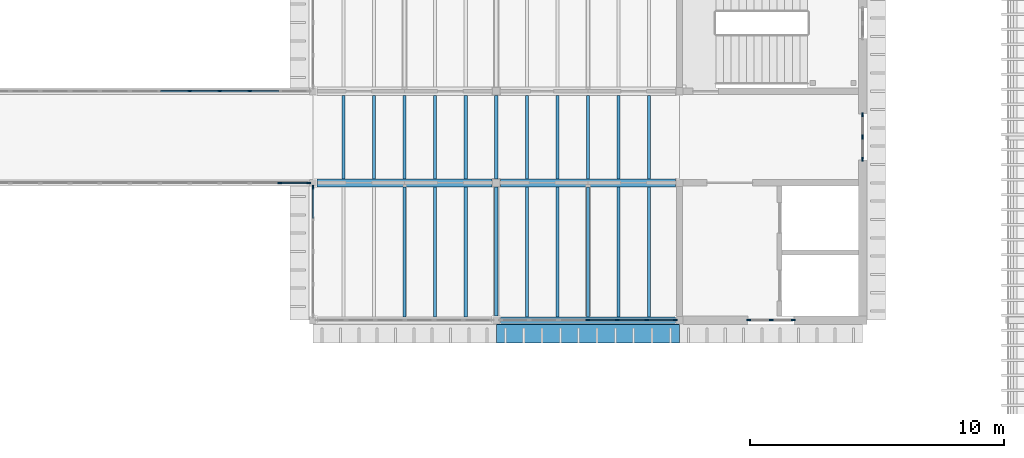
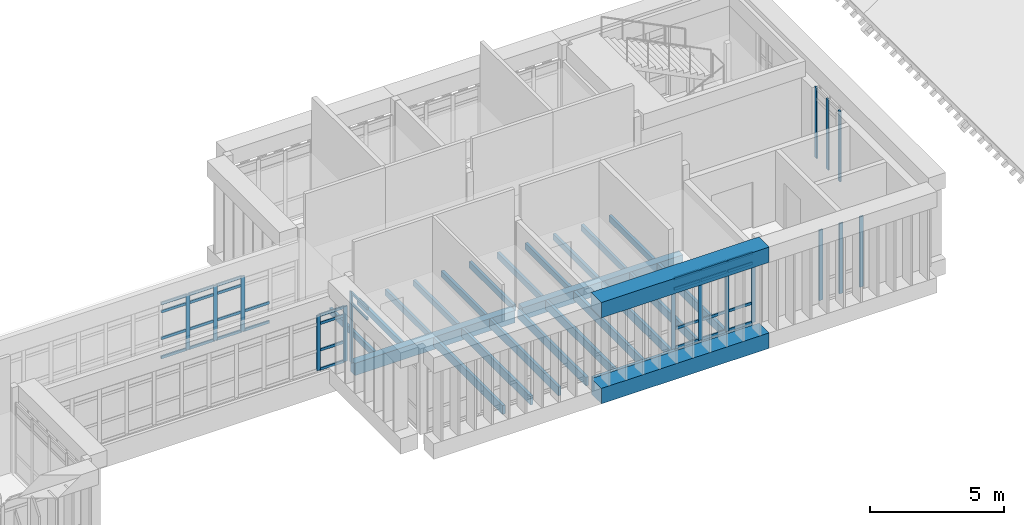
# One storey, part 12 of 51: 50 members, 23 beams, 6 elements without a shape of their own.
"""IFC4 building model written with IfcOpenShell, lengths in metres."""

from ifc_helpers import new_model, si_unit, direction, frame, origin, origin_2d, place, context, subcontext, project, spatial, rectangle, extrude, material, layer, layer_set, material_profile, profile_set, type_object, element, aggregate, save


model = new_model("IFC4")

# Units and contexts
model_context = context("Model", 3, precision=1e-05, world=origin(), true_north=direction((0.0, 1.0)))
body_context = subcontext(model_context, "Body", "Model", "MODEL_VIEW")
ifc_project = project(units=[si_unit("LENGTHUNIT", "METRE"), si_unit("AREAUNIT", "SQUARE_METRE"), si_unit("VOLUMEUNIT", "CUBIC_METRE"), si_unit("PLANEANGLEUNIT", "RADIAN"), si_unit("MASSUNIT", "GRAM", prefix="KILO")], contexts=[model_context])

# Site, building, storey
site_placement = place(None, origin())
site = spatial("IfcSite", under=ifc_project, at=site_placement, CompositionType="ELEMENT")
building_placement = place(site_placement, origin())
building = spatial("IfcBuilding", under=site, at=building_placement, Name="Mazhai Court Health Centre", CompositionType="ELEMENT")
storey_placement = place(building_placement, frame((0.0, 0.0, 14.10009765625)))
storey = spatial("IfcBuildingStorey", under=building, at=storey_placement, Name="L03", CompositionType="ELEMENT", Elevation=14.10009765625)

# Curtain wall, members
ifc_material_1 = material(Name="Teak timber frame, glazed", Category="wood")
ifc_layer_1 = layer(ifc_material_1, 0.10009765625)
ifc_layer_set_1 = layer_set([ifc_layer_1], Name="CURTAIN WALL TIMBER 900")
curtain_wall_type_1 = type_object("IfcCurtainWallType", Name="CURTAIN WALL TIMBER 900", PredefinedType="NOTDEFINED", material=ifc_layer_set_1)
curtain_wall_1_placement = place(storey_placement, origin())
curtain_wall_1 = element("IfcCurtainWall", 1, at=curtain_wall_1_placement, inside=storey, type_object=curtain_wall_type_1, Name="CW-V4-L03-A7", PredefinedType="NOTDEFINED")
ifc_material_2 = material(Name="Teak timber", Category="wood")
ifc_material_profile_1 = material_profile(ifc_material_2, rectangle(XDim=0.06005859375, YDim=0.159912109375, at=origin_2d()), Name="CW MULLION 60x160")
ifc_profile_set_1 = profile_set([ifc_material_profile_1], Name="Teak timber")
member_type_1 = type_object("IfcMemberType", Name="CW MULLION 60x160", PredefinedType="MULLION", material=ifc_profile_set_1)
member_1_placement = place(storey_placement, frame((125.8701171875, 13.39990234375, 0.0), z_axis=(0.0, 0.0, 1.0), x_axis=(0.0, -1.0, 0.0)))
member_1 = element("IfcMember", 2, at=member_1_placement, type_object=member_type_1, Name="CW mullion 1", PredefinedType="MULLION", context=body_context, shape_type="SweptSolid", body=[
    extrude(rectangle(XDim=0.06005859375, YDim=0.159912109375, at=origin_2d()), origin(), (0.0, 0.0, 1.0), 3.199951171875),
])
member_2_placement = place(storey_placement, frame((125.0, 13.39990234375, 0.0), z_axis=(0.0, 0.0, 1.0), x_axis=(0.0, -1.0, 0.0)))
member_2 = element("IfcMember", 3, at=member_2_placement, type_object=member_type_1, Name="CW mullion 2", PredefinedType="MULLION", context=body_context, shape_type="SweptSolid", body=[
    extrude(rectangle(XDim=0.06005859375, YDim=0.159912109375, at=origin_2d()), origin(), (0.0, 0.0, 1.0), 3.199951171875),
])
member_3_placement = place(storey_placement, frame((124.1298828125, 13.39990234375, 0.0), z_axis=(0.0, 0.0, 1.0), x_axis=(0.0, -1.0, 0.0)))
member_3 = element("IfcMember", 4, at=member_3_placement, type_object=member_type_1, Name="CW mullion 3", PredefinedType="MULLION", context=body_context, shape_type="SweptSolid", body=[
    extrude(rectangle(XDim=0.06005859375, YDim=0.159912109375, at=origin_2d()), origin(), (0.0, 0.0, 1.0), 3.199951171875),
])
aggregate(curtain_wall_1, [member_1, member_2, member_3])

curtain_wall_2_placement = place(storey_placement, origin())
curtain_wall_2 = element("IfcCurtainWall", 5, at=curtain_wall_2_placement, inside=storey, type_object=curtain_wall_type_1, Name="CW-V4-L03-ELIFT0", PredefinedType="NOTDEFINED")
member_4_placement = place(storey_placement, frame((128.60009765625, 21.469970703125, 0.0), z_axis=(0.0, 0.0, 1.0), x_axis=(1.0, 0.0, 0.0)))
member_4 = element("IfcMember", 6, at=member_4_placement, type_object=member_type_1, Name="CW mullion 1", PredefinedType="MULLION", context=body_context, shape_type="SweptSolid", body=[
    extrude(rectangle(XDim=0.06005859375, YDim=0.159912109375, at=origin_2d()), origin(), (0.0, 0.0, 1.0), 3.199951171875),
])
member_5_placement = place(storey_placement, frame((128.60009765625, 20.60009765625, 0.0), z_axis=(0.0, 0.0, 1.0), x_axis=(1.0, 0.0, 0.0)))
member_5 = element("IfcMember", 7, at=member_5_placement, type_object=member_type_1, Name="CW mullion 2", PredefinedType="MULLION", context=body_context, shape_type="SweptSolid", body=[
    extrude(rectangle(XDim=0.06005859375, YDim=0.159912109375, at=origin_2d()), origin(), (0.0, 0.0, 1.0), 3.199951171875),
])
member_6_placement = place(storey_placement, frame((128.60009765625, 19.72998046875, 0.0), z_axis=(0.0, 0.0, 1.0), x_axis=(1.0, 0.0, 0.0)))
member_6 = element("IfcMember", 8, at=member_6_placement, type_object=member_type_1, Name="CW mullion 3", PredefinedType="MULLION", context=body_context, shape_type="SweptSolid", body=[
    extrude(rectangle(XDim=0.06005859375, YDim=0.159912109375, at=origin_2d()), origin(), (0.0, 0.0, 1.0), 3.199951171875),
])
aggregate(curtain_wall_2, [member_4, member_5, member_6])

ifc_material_3 = material(Name="Teak timber frame, glazed", Category="wood")
ifc_layer_2 = layer(ifc_material_3, 0.10009765625)
ifc_layer_set_2 = layer_set([ifc_layer_2], Name="CURTAIN WALL TIMBER 1200")
curtain_wall_type_2 = type_object("IfcCurtainWallType", Name="CURTAIN WALL TIMBER 1200", PredefinedType="NOTDEFINED", material=ifc_layer_set_2)
curtain_wall_3_placement = place(storey_placement, origin())
curtain_wall_3 = element("IfcCurtainWall", 9, at=curtain_wall_3_placement, inside=storey, type_object=curtain_wall_type_2, Name="CW-V4-L03-A6", PredefinedType="NOTDEFINED")
member_7_placement = place(storey_placement, frame((121.22998046875, 13.39990234375, 0.0), z_axis=(0.0, 0.0, 1.0), x_axis=(0.0, -1.0, 0.0)))
member_7 = element("IfcMember", 10, at=member_7_placement, type_object=member_type_1, Name="CW mullion 1", PredefinedType="MULLION", context=body_context, shape_type="SweptSolid", body=[
    extrude(rectangle(XDim=0.06005859375, YDim=0.159912109375, at=origin_2d()), origin(), (0.0, 0.0, 1.0), 3.199951171875),
])
member_8_placement = place(storey_placement, frame((120.106689453125, 13.39990234375, 0.0), z_axis=(0.0, 0.0, 1.0), x_axis=(0.0, -1.0, 0.0)))
member_8 = element("IfcMember", 11, at=member_8_placement, type_object=member_type_1, Name="CW mullion 2", PredefinedType="MULLION", context=body_context, shape_type="SweptSolid", body=[
    extrude(rectangle(XDim=0.06005859375, YDim=0.159912109375, at=origin_2d()), origin(), (0.0, 0.0, 1.0), 3.199951171875),
])
member_9_placement = place(storey_placement, frame((118.953369140625, 13.39990234375, 0.0), z_axis=(0.0, 0.0, 1.0), x_axis=(0.0, -1.0, 0.0)))
member_9 = element("IfcMember", 12, at=member_9_placement, type_object=member_type_1, Name="CW mullion 3", PredefinedType="MULLION", context=body_context, shape_type="SweptSolid", body=[
    extrude(rectangle(XDim=0.06005859375, YDim=0.159912109375, at=origin_2d()), origin(), (0.0, 0.0, 1.0), 3.199951171875),
])
member_10_placement = place(storey_placement, frame((117.800048828125, 13.39990234375, 0.0), z_axis=(0.0, 0.0, 1.0), x_axis=(0.0, -1.0, 0.0)))
member_10 = element("IfcMember", 13, at=member_10_placement, type_object=member_type_1, Name="CW mullion 4", PredefinedType="MULLION", context=body_context, shape_type="SweptSolid", body=[
    extrude(rectangle(XDim=0.06005859375, YDim=0.159912109375, at=origin_2d()), origin(), (0.0, 0.0, 1.0), 3.199951171875),
])

# Curtain wall, member
curtain_wall_4_placement = place(storey_placement, origin())
curtain_wall_4 = element("IfcCurtainWall", 14, at=curtain_wall_4_placement, inside=storey, type_object=curtain_wall_type_2, Name="CW-V4-L03-CW5-0", PredefinedType="NOTDEFINED")
member_11_placement = place(storey_placement, frame((107.0, 18.6298828125, 0.0), z_axis=(0.0, 0.0, 1.0), x_axis=(-1.0, 0.0, 0.0)))
member_11 = element("IfcMember", 15, at=member_11_placement, type_object=member_type_1, Name="CW mullion 5", PredefinedType="MULLION", context=body_context, shape_type="SweptSolid", body=[
    extrude(rectangle(XDim=0.06005859375, YDim=0.159912109375, at=origin_2d()), origin(), (0.0, 0.0, 1.0), 3.199951171875),
])

# Curtain wall, members
curtain_wall_5_placement = place(storey_placement, origin())
curtain_wall_5 = element("IfcCurtainWall", 16, at=curtain_wall_5_placement, inside=storey, type_object=curtain_wall_type_2, Name="CW-BR-LC3-S", PredefinedType="NOTDEFINED")
member_12_placement = place(storey_placement, frame((105.683349609375, 18.800048828125, 0.0), z_axis=(0.0, 0.0, 1.0), x_axis=(0.0, 1.0, 0.0)))
member_12 = element("IfcMember", 17, at=member_12_placement, type_object=member_type_1, Name="CW mullion 12", PredefinedType="MULLION", context=body_context, shape_type="SweptSolid", body=[
    extrude(rectangle(XDim=0.06005859375, YDim=0.159912109375, at=origin_2d()), origin(), (0.0, 0.0, 1.0), 2.5048828125),
])
member_13_placement = place(storey_placement, frame((106.830078125, 18.800048828125, 0.0), z_axis=(0.0, 0.0, 1.0), x_axis=(0.0, 1.0, 0.0)))
member_13 = element("IfcMember", 18, at=member_13_placement, type_object=member_type_1, Name="CW mullion 13", PredefinedType="MULLION", context=body_context, shape_type="SweptSolid", body=[
    extrude(rectangle(XDim=0.06005859375, YDim=0.159912109375, at=origin_2d()), origin(), (0.0, 0.0, 1.0), 2.5048828125),
])

curtain_wall_6_placement = place(storey_placement, origin())
curtain_wall_6 = element("IfcCurtainWall", 19, at=curtain_wall_6_placement, inside=storey, type_object=curtain_wall_type_2, Name="CW-BR-LC3-N", PredefinedType="NOTDEFINED")
member_14_placement = place(storey_placement, frame((102.1533203125, 22.39990234375, 0.0), z_axis=(0.0, 0.0, 1.0), x_axis=(0.0, 1.0, 0.0)))
member_14 = element("IfcMember", 20, at=member_14_placement, type_object=member_type_1, Name="CW mullion 9", PredefinedType="MULLION", context=body_context, shape_type="SweptSolid", body=[
    extrude(rectangle(XDim=0.06005859375, YDim=0.159912109375, at=origin_2d()), origin(), (0.0, 0.0, 1.0), 2.5048828125),
])
member_15_placement = place(storey_placement, frame((103.330078125, 22.39990234375, 0.0), z_axis=(0.0, 0.0, 1.0), x_axis=(0.0, 1.0, 0.0)))
member_15 = element("IfcMember", 21, at=member_15_placement, type_object=member_type_1, Name="CW mullion 10", PredefinedType="MULLION", context=body_context, shape_type="SweptSolid", body=[
    extrude(rectangle(XDim=0.06005859375, YDim=0.159912109375, at=origin_2d()), origin(), (0.0, 0.0, 1.0), 2.5048828125),
])
member_16_placement = place(storey_placement, frame((104.506591796875, 22.39990234375, 0.0), z_axis=(0.0, 0.0, 1.0), x_axis=(0.0, 1.0, 0.0)))
member_16 = element("IfcMember", 22, at=member_16_placement, type_object=member_type_1, Name="CW mullion 11", PredefinedType="MULLION", context=body_context, shape_type="SweptSolid", body=[
    extrude(rectangle(XDim=0.06005859375, YDim=0.159912109375, at=origin_2d()), origin(), (0.0, 0.0, 1.0), 2.5048828125),
])

# Member
ifc_material_4 = material(Name="Teak timber", Category="wood")
ifc_material_profile_2 = material_profile(ifc_material_4, rectangle(XDim=0.06005859375, YDim=0.1201171875, at=origin_2d()), Name="CW TRANSOM 60x120")
ifc_profile_set_2 = profile_set([ifc_material_profile_2], Name="Teak timber")
member_type_2 = type_object("IfcMemberType", Name="CW TRANSOM 60x120", PredefinedType="USERDEFINED", material=ifc_profile_set_2)
member_17_placement = place(storey_placement, frame((121.199951171875, 13.39990234375, 0.02978515625), z_axis=(-1.0, 0.0, 0.0), x_axis=(0.0, -1.0, 0.0)))
member_17 = element("IfcMember", 23, at=member_17_placement, type_object=member_type_2, Name="CW transom 1.1", ObjectType="TRANSOM", PredefinedType="USERDEFINED", context=body_context, shape_type="SweptSolid", body=[
    extrude(rectangle(XDim=0.06005859375, YDim=0.1201171875, at=origin_2d()), origin(), (0.0, 0.0, 1.0), 1.063232421875),
])

member_18_placement = place(storey_placement, frame((121.199951171875, 13.39990234375, 0.89990234375), z_axis=(-1.0, 0.0, 0.0), x_axis=(0.0, -1.0, 0.0)))
member_18 = element("IfcMember", 24, at=member_18_placement, type_object=member_type_2, Name="CW transom 1.2", ObjectType="TRANSOM", PredefinedType="USERDEFINED", context=body_context, shape_type="SweptSolid", body=[
    extrude(rectangle(XDim=0.06005859375, YDim=0.1201171875, at=origin_2d()), origin(), (0.0, 0.0, 1.0), 1.063232421875),
])

member_19_placement = place(storey_placement, frame((121.199951171875, 13.39990234375, 2.699951171875), z_axis=(-1.0, 0.0, 0.0), x_axis=(0.0, -1.0, 0.0)))
member_19 = element("IfcMember", 25, at=member_19_placement, type_object=member_type_2, Name="CW transom 1.3", ObjectType="TRANSOM", PredefinedType="USERDEFINED", context=body_context, shape_type="SweptSolid", body=[
    extrude(rectangle(XDim=0.06005859375, YDim=0.1201171875, at=origin_2d()), origin(), (0.0, 0.0, 1.0), 1.063232421875),
])

member_20_placement = place(storey_placement, frame((121.199951171875, 13.39990234375, 3.169921875), z_axis=(-1.0, 0.0, 0.0), x_axis=(0.0, -1.0, 0.0)))
member_20 = element("IfcMember", 26, at=member_20_placement, type_object=member_type_2, Name="CW transom 1.4", ObjectType="TRANSOM", PredefinedType="USERDEFINED", context=body_context, shape_type="SweptSolid", body=[
    extrude(rectangle(XDim=0.06005859375, YDim=0.1201171875, at=origin_2d()), origin(), (0.0, 0.0, 1.0), 1.063232421875),
])

member_21_placement = place(storey_placement, frame((120.07666015625, 13.39990234375, 0.02978515625), z_axis=(-1.0, 0.0, 0.0), x_axis=(0.0, -1.0, 0.0)))
member_21 = element("IfcMember", 27, at=member_21_placement, type_object=member_type_2, Name="CW transom 2.1", ObjectType="TRANSOM", PredefinedType="USERDEFINED", context=body_context, shape_type="SweptSolid", body=[
    extrude(rectangle(XDim=0.06005859375, YDim=0.1201171875, at=origin_2d()), origin(), (0.0, 0.0, 1.0), 1.09326171875),
])

member_22_placement = place(storey_placement, frame((120.07666015625, 13.39990234375, 0.89990234375), z_axis=(-1.0, 0.0, 0.0), x_axis=(0.0, -1.0, 0.0)))
member_22 = element("IfcMember", 28, at=member_22_placement, type_object=member_type_2, Name="CW transom 2.2", ObjectType="TRANSOM", PredefinedType="USERDEFINED", context=body_context, shape_type="SweptSolid", body=[
    extrude(rectangle(XDim=0.06005859375, YDim=0.1201171875, at=origin_2d()), origin(), (0.0, 0.0, 1.0), 1.09326171875),
])

member_23_placement = place(storey_placement, frame((120.07666015625, 13.39990234375, 2.699951171875), z_axis=(-1.0, 0.0, 0.0), x_axis=(0.0, -1.0, 0.0)))
member_23 = element("IfcMember", 29, at=member_23_placement, type_object=member_type_2, Name="CW transom 2.3", ObjectType="TRANSOM", PredefinedType="USERDEFINED", context=body_context, shape_type="SweptSolid", body=[
    extrude(rectangle(XDim=0.06005859375, YDim=0.1201171875, at=origin_2d()), origin(), (0.0, 0.0, 1.0), 1.09326171875),
])

member_24_placement = place(storey_placement, frame((120.07666015625, 13.39990234375, 3.169921875), z_axis=(-1.0, 0.0, 0.0), x_axis=(0.0, -1.0, 0.0)))
member_24 = element("IfcMember", 30, at=member_24_placement, type_object=member_type_2, Name="CW transom 2.4", ObjectType="TRANSOM", PredefinedType="USERDEFINED", context=body_context, shape_type="SweptSolid", body=[
    extrude(rectangle(XDim=0.06005859375, YDim=0.1201171875, at=origin_2d()), origin(), (0.0, 0.0, 1.0), 1.09326171875),
])

member_25_placement = place(storey_placement, frame((118.92333984375, 13.39990234375, 0.02978515625), z_axis=(-1.0, 0.0, 0.0), x_axis=(0.0, -1.0, 0.0)))
member_25 = element("IfcMember", 31, at=member_25_placement, type_object=member_type_2, Name="CW transom 3.1", ObjectType="TRANSOM", PredefinedType="USERDEFINED", context=body_context, shape_type="SweptSolid", body=[
    extrude(rectangle(XDim=0.06005859375, YDim=0.1201171875, at=origin_2d()), origin(), (0.0, 0.0, 1.0), 1.09326171875),
])

member_26_placement = place(storey_placement, frame((118.92333984375, 13.39990234375, 0.89990234375), z_axis=(-1.0, 0.0, 0.0), x_axis=(0.0, -1.0, 0.0)))
member_26 = element("IfcMember", 32, at=member_26_placement, type_object=member_type_2, Name="CW transom 3.2", ObjectType="TRANSOM", PredefinedType="USERDEFINED", context=body_context, shape_type="SweptSolid", body=[
    extrude(rectangle(XDim=0.06005859375, YDim=0.1201171875, at=origin_2d()), origin(), (0.0, 0.0, 1.0), 1.09326171875),
])

member_27_placement = place(storey_placement, frame((118.92333984375, 13.39990234375, 2.699951171875), z_axis=(-1.0, 0.0, 0.0), x_axis=(0.0, -1.0, 0.0)))
member_27 = element("IfcMember", 33, at=member_27_placement, type_object=member_type_2, Name="CW transom 3.3", ObjectType="TRANSOM", PredefinedType="USERDEFINED", context=body_context, shape_type="SweptSolid", body=[
    extrude(rectangle(XDim=0.06005859375, YDim=0.1201171875, at=origin_2d()), origin(), (0.0, 0.0, 1.0), 1.09326171875),
])

member_28_placement = place(storey_placement, frame((118.92333984375, 13.39990234375, 3.169921875), z_axis=(-1.0, 0.0, 0.0), x_axis=(0.0, -1.0, 0.0)))
member_28 = element("IfcMember", 34, at=member_28_placement, type_object=member_type_2, Name="CW transom 3.4", ObjectType="TRANSOM", PredefinedType="USERDEFINED", context=body_context, shape_type="SweptSolid", body=[
    extrude(rectangle(XDim=0.06005859375, YDim=0.1201171875, at=origin_2d()), origin(), (0.0, 0.0, 1.0), 1.09326171875),
])

aggregate(curtain_wall_3, [member_7, member_8, member_9, member_10, member_17, member_18, member_19, member_20, member_21, member_22, member_23, member_24, member_25, member_26, member_27, member_28])

member_29_placement = place(storey_placement, frame((107.0, 17.409912109375, 2.699951171875), z_axis=(0.0, 1.0, 0.0), x_axis=(-1.0, 0.0, 0.0)))
member_29 = element("IfcMember", 35, at=member_29_placement, type_object=member_type_2, Name="CW transom 4.3", ObjectType="TRANSOM", PredefinedType="USERDEFINED", context=body_context, shape_type="SweptSolid", body=[
    extrude(rectangle(XDim=0.06005859375, YDim=0.1201171875, at=origin_2d()), origin(), (0.0, 0.0, 1.0), 1.190185546875),
])

member_30_placement = place(storey_placement, frame((107.0, 17.409912109375, 3.169921875), z_axis=(0.0, 1.0, 0.0), x_axis=(-1.0, 0.0, 0.0)))
member_30 = element("IfcMember", 36, at=member_30_placement, type_object=member_type_2, Name="CW transom 4.4", ObjectType="TRANSOM", PredefinedType="USERDEFINED", context=body_context, shape_type="SweptSolid", body=[
    extrude(rectangle(XDim=0.06005859375, YDim=0.1201171875, at=origin_2d()), origin(), (0.0, 0.0, 1.0), 1.190185546875),
])

aggregate(curtain_wall_4, [member_11, member_29, member_30])

member_31_placement = place(storey_placement, frame((105.71337890625, 18.800048828125, 0.02978515625), z_axis=(1.0, 0.0, 0.0), x_axis=(0.0, 1.0, 0.0)))
member_31 = element("IfcMember", 37, at=member_31_placement, type_object=member_type_2, Name="CW transom 12.1", ObjectType="TRANSOM", PredefinedType="USERDEFINED", context=body_context, shape_type="SweptSolid", body=[
    extrude(rectangle(XDim=0.06005859375, YDim=0.1201171875, at=origin_2d()), origin(), (0.0, 0.0, 1.0), 1.086669921875),
])

member_32_placement = place(storey_placement, frame((105.71337890625, 18.800048828125, 0.89990234375), z_axis=(1.0, 0.0, 0.0), x_axis=(0.0, 1.0, 0.0)))
member_32 = element("IfcMember", 38, at=member_32_placement, type_object=member_type_2, Name="CW transom 12.2", ObjectType="TRANSOM", PredefinedType="USERDEFINED", context=body_context, shape_type="SweptSolid", body=[
    extrude(rectangle(XDim=0.06005859375, YDim=0.1201171875, at=origin_2d()), origin(), (0.0, 0.0, 1.0), 1.086669921875),
])

member_33_placement = place(storey_placement, frame((105.71337890625, 18.800048828125, 2.10498046875), z_axis=(1.0, 0.0, 0.0), x_axis=(0.0, 1.0, 0.0)))
member_33 = element("IfcMember", 39, at=member_33_placement, type_object=member_type_2, Name="CW transom 12.3", ObjectType="TRANSOM", PredefinedType="USERDEFINED", context=body_context, shape_type="SweptSolid", body=[
    extrude(rectangle(XDim=0.06005859375, YDim=0.1201171875, at=origin_2d()), origin(), (0.0, 0.0, 1.0), 1.086669921875),
])

member_34_placement = place(storey_placement, frame((105.71337890625, 18.800048828125, 2.474853515625), z_axis=(1.0, 0.0, 0.0), x_axis=(0.0, 1.0, 0.0)))
member_34 = element("IfcMember", 40, at=member_34_placement, type_object=member_type_2, Name="CW transom 12.4", ObjectType="TRANSOM", PredefinedType="USERDEFINED", context=body_context, shape_type="SweptSolid", body=[
    extrude(rectangle(XDim=0.06005859375, YDim=0.1201171875, at=origin_2d()), origin(), (0.0, 0.0, 1.0), 1.086669921875),
])

aggregate(curtain_wall_5, [member_12, member_13, member_31, member_32, member_33, member_34])

member_35_placement = place(storey_placement, frame((101.006591796875, 22.39990234375, 0.02978515625), z_axis=(1.0, 0.0, 0.0), x_axis=(0.0, 1.0, 0.0)))
member_35 = element("IfcMember", 41, at=member_35_placement, type_object=member_type_2, Name="CW transom 8.1", ObjectType="TRANSOM", PredefinedType="USERDEFINED", context=body_context, shape_type="SweptSolid", body=[
    extrude(rectangle(XDim=0.06005859375, YDim=0.1201171875, at=origin_2d()), origin(), (0.0, 0.0, 1.0), 1.11669921875),
])

member_36_placement = place(storey_placement, frame((101.006591796875, 22.39990234375, 0.89990234375), z_axis=(1.0, 0.0, 0.0), x_axis=(0.0, 1.0, 0.0)))
member_36 = element("IfcMember", 42, at=member_36_placement, type_object=member_type_2, Name="CW transom 8.2", ObjectType="TRANSOM", PredefinedType="USERDEFINED", context=body_context, shape_type="SweptSolid", body=[
    extrude(rectangle(XDim=0.06005859375, YDim=0.1201171875, at=origin_2d()), origin(), (0.0, 0.0, 1.0), 1.11669921875),
])

member_37_placement = place(storey_placement, frame((101.006591796875, 22.39990234375, 2.10498046875), z_axis=(1.0, 0.0, 0.0), x_axis=(0.0, 1.0, 0.0)))
member_37 = element("IfcMember", 43, at=member_37_placement, type_object=member_type_2, Name="CW transom 8.3", ObjectType="TRANSOM", PredefinedType="USERDEFINED", context=body_context, shape_type="SweptSolid", body=[
    extrude(rectangle(XDim=0.06005859375, YDim=0.1201171875, at=origin_2d()), origin(), (0.0, 0.0, 1.0), 1.11669921875),
])

member_38_placement = place(storey_placement, frame((101.006591796875, 22.39990234375, 2.474853515625), z_axis=(1.0, 0.0, 0.0), x_axis=(0.0, 1.0, 0.0)))
member_38 = element("IfcMember", 44, at=member_38_placement, type_object=member_type_2, Name="CW transom 8.4", ObjectType="TRANSOM", PredefinedType="USERDEFINED", context=body_context, shape_type="SweptSolid", body=[
    extrude(rectangle(XDim=0.06005859375, YDim=0.1201171875, at=origin_2d()), origin(), (0.0, 0.0, 1.0), 1.11669921875),
])

member_39_placement = place(storey_placement, frame((102.183349609375, 22.39990234375, 0.02978515625), z_axis=(1.0, 0.0, 0.0), x_axis=(0.0, 1.0, 0.0)))
member_39 = element("IfcMember", 45, at=member_39_placement, type_object=member_type_2, Name="CW transom 9.1", ObjectType="TRANSOM", PredefinedType="USERDEFINED", context=body_context, shape_type="SweptSolid", body=[
    extrude(rectangle(XDim=0.06005859375, YDim=0.1201171875, at=origin_2d()), origin(), (0.0, 0.0, 1.0), 1.11669921875),
])

member_40_placement = place(storey_placement, frame((102.183349609375, 22.39990234375, 0.89990234375), z_axis=(1.0, 0.0, 0.0), x_axis=(0.0, 1.0, 0.0)))
member_40 = element("IfcMember", 46, at=member_40_placement, type_object=member_type_2, Name="CW transom 9.2", ObjectType="TRANSOM", PredefinedType="USERDEFINED", context=body_context, shape_type="SweptSolid", body=[
    extrude(rectangle(XDim=0.06005859375, YDim=0.1201171875, at=origin_2d()), origin(), (0.0, 0.0, 1.0), 1.11669921875),
])

member_41_placement = place(storey_placement, frame((102.183349609375, 22.39990234375, 2.10498046875), z_axis=(1.0, 0.0, 0.0), x_axis=(0.0, 1.0, 0.0)))
member_41 = element("IfcMember", 47, at=member_41_placement, type_object=member_type_2, Name="CW transom 9.3", ObjectType="TRANSOM", PredefinedType="USERDEFINED", context=body_context, shape_type="SweptSolid", body=[
    extrude(rectangle(XDim=0.06005859375, YDim=0.1201171875, at=origin_2d()), origin(), (0.0, 0.0, 1.0), 1.11669921875),
])

member_42_placement = place(storey_placement, frame((102.183349609375, 22.39990234375, 2.474853515625), z_axis=(1.0, 0.0, 0.0), x_axis=(0.0, 1.0, 0.0)))
member_42 = element("IfcMember", 48, at=member_42_placement, type_object=member_type_2, Name="CW transom 9.4", ObjectType="TRANSOM", PredefinedType="USERDEFINED", context=body_context, shape_type="SweptSolid", body=[
    extrude(rectangle(XDim=0.06005859375, YDim=0.1201171875, at=origin_2d()), origin(), (0.0, 0.0, 1.0), 1.11669921875),
])

member_43_placement = place(storey_placement, frame((103.360107421875, 22.39990234375, 0.02978515625), z_axis=(1.0, 0.0, 0.0), x_axis=(0.0, 1.0, 0.0)))
member_43 = element("IfcMember", 49, at=member_43_placement, type_object=member_type_2, Name="CW transom 10.1", ObjectType="TRANSOM", PredefinedType="USERDEFINED", context=body_context, shape_type="SweptSolid", body=[
    extrude(rectangle(XDim=0.06005859375, YDim=0.1201171875, at=origin_2d()), origin(), (0.0, 0.0, 1.0), 1.116455078125),
])

member_44_placement = place(storey_placement, frame((103.360107421875, 22.39990234375, 0.89990234375), z_axis=(1.0, 0.0, 0.0), x_axis=(0.0, 1.0, 0.0)))
member_44 = element("IfcMember", 50, at=member_44_placement, type_object=member_type_2, Name="CW transom 10.2", ObjectType="TRANSOM", PredefinedType="USERDEFINED", context=body_context, shape_type="SweptSolid", body=[
    extrude(rectangle(XDim=0.06005859375, YDim=0.1201171875, at=origin_2d()), origin(), (0.0, 0.0, 1.0), 1.116455078125),
])

member_45_placement = place(storey_placement, frame((103.360107421875, 22.39990234375, 2.10498046875), z_axis=(1.0, 0.0, 0.0), x_axis=(0.0, 1.0, 0.0)))
member_45 = element("IfcMember", 51, at=member_45_placement, type_object=member_type_2, Name="CW transom 10.3", ObjectType="TRANSOM", PredefinedType="USERDEFINED", context=body_context, shape_type="SweptSolid", body=[
    extrude(rectangle(XDim=0.06005859375, YDim=0.1201171875, at=origin_2d()), origin(), (0.0, 0.0, 1.0), 1.116455078125),
])

member_46_placement = place(storey_placement, frame((103.360107421875, 22.39990234375, 2.474853515625), z_axis=(1.0, 0.0, 0.0), x_axis=(0.0, 1.0, 0.0)))
member_46 = element("IfcMember", 52, at=member_46_placement, type_object=member_type_2, Name="CW transom 10.4", ObjectType="TRANSOM", PredefinedType="USERDEFINED", context=body_context, shape_type="SweptSolid", body=[
    extrude(rectangle(XDim=0.06005859375, YDim=0.1201171875, at=origin_2d()), origin(), (0.0, 0.0, 1.0), 1.116455078125),
])

member_47_placement = place(storey_placement, frame((104.53662109375, 22.39990234375, 0.02978515625), z_axis=(1.0, 0.0, 0.0), x_axis=(0.0, 1.0, 0.0)))
member_47 = element("IfcMember", 53, at=member_47_placement, type_object=member_type_2, Name="CW transom 11.1", ObjectType="TRANSOM", PredefinedType="USERDEFINED", context=body_context, shape_type="SweptSolid", body=[
    extrude(rectangle(XDim=0.06005859375, YDim=0.1201171875, at=origin_2d()), origin(), (0.0, 0.0, 1.0), 1.11669921875),
])

member_48_placement = place(storey_placement, frame((104.53662109375, 22.39990234375, 0.89990234375), z_axis=(1.0, 0.0, 0.0), x_axis=(0.0, 1.0, 0.0)))
member_48 = element("IfcMember", 54, at=member_48_placement, type_object=member_type_2, Name="CW transom 11.2", ObjectType="TRANSOM", PredefinedType="USERDEFINED", context=body_context, shape_type="SweptSolid", body=[
    extrude(rectangle(XDim=0.06005859375, YDim=0.1201171875, at=origin_2d()), origin(), (0.0, 0.0, 1.0), 1.11669921875),
])

aggregate(curtain_wall_6, [member_14, member_15, member_16, member_35, member_36, member_37, member_38, member_39, member_40, member_41, member_42, member_43, member_44, member_45, member_46, member_47, member_48])

# Members
ifc_material_5 = material(Name="Glulam GL24h", Category="wood")
ifc_material_profile_3 = material_profile(ifc_material_5, rectangle(XDim=0.739990234375, YDim=0.699951171875, at=origin_2d()), Name="FIN RAIL 740x700")
ifc_profile_set_3 = profile_set([ifc_material_profile_3], Name="Glulam GL24h")
member_type_3 = type_object("IfcMemberType", Name="FIN RAIL 740x700", PredefinedType="USERDEFINED", material=ifc_profile_set_3)
member_49_placement = place(storey_placement, frame((121.39990234375, 12.8701171875, -0.35009765625), z_axis=(-1.0, 0.0, 0.0), x_axis=(0.0, -1.0, 0.0)))
element("IfcMember", 55, at=member_49_placement, inside=storey, type_object=member_type_3, Name="FR-V4-A4-L03", ObjectType="FIN RAIL", PredefinedType="USERDEFINED", context=body_context, shape_type="SweptSolid", body=[
    extrude(rectangle(XDim=0.739990234375, YDim=0.699951171875, at=origin_2d()), origin(), (0.0, 0.0, 1.0), 7.199951171875),
])
ifc_material_6 = material(Name="Glulam GL24h", Category="wood")
ifc_material_profile_4 = material_profile(ifc_material_6, rectangle(XDim=0.760009765625, YDim=0.699951171875, at=origin_2d()), Name="FIN RAIL 760x700")
ifc_profile_set_4 = profile_set([ifc_material_profile_4], Name="Glulam GL24h")
member_type_4 = type_object("IfcMemberType", Name="FIN RAIL 760x700", PredefinedType="USERDEFINED", material=ifc_profile_set_4)
member_50_placement = place(storey_placement, frame((121.39990234375, 12.8798828125, 3.5498046875), z_axis=(-1.0, 0.0, 0.0), x_axis=(0.0, -1.0, 0.0)))
element("IfcMember", 56, at=member_50_placement, inside=storey, type_object=member_type_4, Name="FR-V4-A4-RF", ObjectType="FIN RAIL", PredefinedType="USERDEFINED", context=body_context, shape_type="SweptSolid", body=[
    extrude(rectangle(XDim=0.760009765625, YDim=0.699951171875, at=origin_2d()), origin(), (0.0, 0.0, 1.0), 7.199951171875),
])

# Beams
ifc_material_7 = material(Name="Glulam GL24h", Category="wood")
ifc_material_profile_5 = material_profile(ifc_material_7, rectangle(XDim=0.1201171875, YDim=0.280029296875, at=origin_2d()), Name="GL24h 120x280")
ifc_profile_set_5 = profile_set([ifc_material_profile_5], Name="Glulam GL24h")
beam_type_1 = type_object("IfcBeamType", Name="GL24h 120x280 joist", PredefinedType="JOIST", material=ifc_profile_set_5)
for number, where, z_axis, x_axis, name in (
    (57, (108.199951171875, 18.9599609375, -0.260009765625), (0.0, 1.0, 0.0), (-1.0, 0.0, 0.0), "joist-V4-L03-5-B1"),
    (58, (109.39990234375, 18.9599609375, -0.260009765625), (0.0, 1.0, 0.0), (-1.0, 0.0, 0.0), "joist-V4-L03-5-B2"),
    (59, (110.60009765625, 18.9599609375, -0.260009765625), (0.0, 1.0, 0.0), (-1.0, 0.0, 0.0), "joist-V4-L03-5-B3"),
    (60, (111.800048828125, 18.9599609375, -0.260009765625), (0.0, 1.0, 0.0), (-1.0, 0.0, 0.0), "joist-V4-L03-5-B4"),
    (61, (113.0, 18.9599609375, -0.260009765625), (0.0, 1.0, 0.0), (-1.0, 0.0, 0.0), "joist-V4-L03-5-B5"),
    (62, (114.199951171875, 18.9599609375, -0.260009765625), (0.0, 1.0, 0.0), (-1.0, 0.0, 0.0), "joist-V4-L03-6-B0"),
    (63, (115.39990234375, 18.9599609375, -0.260009765625), (0.0, 1.0, 0.0), (-1.0, 0.0, 0.0), "joist-V4-L03-6-B1"),
    (64, (116.60009765625, 18.9599609375, -0.260009765625), (0.0, 1.0, 0.0), (-1.0, 0.0, 0.0), "joist-V4-L03-6-B2"),
    (65, (117.800048828125, 18.9599609375, -0.260009765625), (0.0, 1.0, 0.0), (-1.0, 0.0, 0.0), "joist-V4-L03-6-B3"),
    (66, (119.0, 18.9599609375, -0.260009765625), (0.0, 1.0, 0.0), (-1.0, 0.0, 0.0), "joist-V4-L03-6-B4"),
    (67, (120.199951171875, 18.9599609375, -0.260009765625), (0.0, 1.0, 0.0), (-1.0, 0.0, 0.0), "joist-V4-L03-6-B5"),
):
    element("IfcBeam", number, at=place(storey_placement, frame(where, z_axis=z_axis, x_axis=x_axis)), inside=storey, type_object=beam_type_1, Name=name, PredefinedType="JOIST", context=body_context, shape_type="SweptSolid", body=[
        extrude(rectangle(XDim=0.1201171875, YDim=0.280029296875, at=origin_2d()), origin(), (0.0, 0.0, 1.0), 3.280029296875),
    ])
ifc_material_8 = material(Name="Glulam GL24h", Category="wood")
ifc_material_profile_6 = material_profile(ifc_material_8, rectangle(XDim=0.1201171875, YDim=0.39990234375, at=origin_2d()), Name="GL24h 120x400")
ifc_profile_set_6 = profile_set([ifc_material_profile_6], Name="Glulam GL24h")
beam_type_2 = type_object("IfcBeamType", Name="GL24h 120x400 joist", PredefinedType="JOIST", material=ifc_profile_set_6)
for number, where, z_axis, x_axis, name in (
    (68, (110.60009765625, 13.52001953125, -0.320068359375), (0.0, 1.0, 0.0), (-1.0, 0.0, 0.0), "joist-V4-L03-5-A3"),
    (69, (111.800048828125, 13.52001953125, -0.320068359375), (0.0, 1.0, 0.0), (-1.0, 0.0, 0.0), "joist-V4-L03-5-A4"),
    (70, (113.0, 13.52001953125, -0.320068359375), (0.0, 1.0, 0.0), (-1.0, 0.0, 0.0), "joist-V4-L03-5-A5"),
):
    element("IfcBeam", number, at=place(storey_placement, frame(where, z_axis=z_axis, x_axis=x_axis)), inside=storey, type_object=beam_type_2, Name=name, PredefinedType="JOIST", context=body_context, shape_type="SweptSolid", body=[
        extrude(rectangle(XDim=0.1201171875, YDim=0.39990234375, at=origin_2d()), origin(), (0.0, 0.0, 1.0), 5.119873046875),
    ])
beam_1_placement = place(storey_placement, frame((114.199951171875, 13.56005859375, -0.320068359375), z_axis=(0.0, 1.0, 0.0), x_axis=(-1.0, 0.0, 0.0)))
element("IfcBeam", 71, at=beam_1_placement, inside=storey, type_object=beam_type_2, Name="joist-V4-L03-6-A0", PredefinedType="JOIST", context=body_context, shape_type="SweptSolid", body=[
    extrude(rectangle(XDim=0.1201171875, YDim=0.39990234375, at=origin_2d()), origin(), (0.0, 0.0, 1.0), 5.079833984375),
])
for number, where, z_axis, x_axis, name in (
    (72, (115.39990234375, 13.52001953125, -0.320068359375), (0.0, 1.0, 0.0), (-1.0, 0.0, 0.0), "joist-V4-L03-6-A1"),
    (73, (116.60009765625, 13.52001953125, -0.320068359375), (0.0, 1.0, 0.0), (-1.0, 0.0, 0.0), "joist-V4-L03-6-A2"),
    (74, (117.800048828125, 13.52001953125, -0.320068359375), (0.0, 1.0, 0.0), (-1.0, 0.0, 0.0), "joist-V4-L03-6-A3"),
    (75, (119.0, 13.52001953125, -0.320068359375), (0.0, 1.0, 0.0), (-1.0, 0.0, 0.0), "joist-V4-L03-6-A4"),
    (76, (120.199951171875, 13.52001953125, -0.320068359375), (0.0, 1.0, 0.0), (-1.0, 0.0, 0.0), "joist-V4-L03-6-A5"),
):
    element("IfcBeam", number, at=place(storey_placement, frame(where, z_axis=z_axis, x_axis=x_axis)), inside=storey, type_object=beam_type_2, Name=name, PredefinedType="JOIST", context=body_context, shape_type="SweptSolid", body=[
        extrude(rectangle(XDim=0.1201171875, YDim=0.39990234375, at=origin_2d()), origin(), (0.0, 0.0, 1.0), 5.119873046875),
    ])
ifc_material_9 = material(Name="Glulam GL28h", Category="wood")
ifc_material_profile_7 = material_profile(ifc_material_9, rectangle(XDim=0.239990234375, YDim=0.56005859375, at=origin_2d()), Name="GL28h 240x560")
ifc_profile_set_7 = profile_set([ifc_material_profile_7], Name="Glulam GL28h")
beam_type_3 = type_object("IfcBeamType", Name="GL28h 240x560 beam", PredefinedType="BEAM", material=ifc_profile_set_7)
beam_2_placement = place(storey_placement, frame((114.360107421875, 13.39990234375, -0.400146484375), z_axis=(1.0, 0.0, 0.0), x_axis=(0.0, 1.0, 0.0)))
element("IfcBeam", 77, at=beam_2_placement, inside=storey, type_object=beam_type_3, Name="beam-V4-L03-6-A", PredefinedType="BEAM", context=body_context, shape_type="SweptSolid", body=[
    extrude(rectangle(XDim=0.239990234375, YDim=0.56005859375, at=origin_2d()), origin(), (0.0, 0.0, 1.0), 6.8798828125),
])
ifc_material_10 = material(Name="Glulam GL28h", Category="wood")
ifc_material_profile_8 = material_profile(ifc_material_10, rectangle(XDim=0.320068359375, YDim=0.56005859375, at=origin_2d()), Name="GL28h 320x560")
ifc_profile_set_8 = profile_set([ifc_material_profile_8], Name="Glulam GL28h")
beam_type_4 = type_object("IfcBeamType", Name="GL28h 320x560 beam", PredefinedType="BEAM", material=ifc_profile_set_8)
beam_3_placement = place(storey_placement, frame((107.159912109375, 18.800048828125, -0.400146484375), z_axis=(1.0, 0.0, 0.0), x_axis=(0.0, 1.0, 0.0)))
element("IfcBeam", 78, at=beam_3_placement, inside=storey, type_object=beam_type_4, Name="beam-V4-L03-5-B", PredefinedType="BEAM", context=body_context, shape_type="SweptSolid", body=[
    extrude(rectangle(XDim=0.320068359375, YDim=0.56005859375, at=origin_2d()), origin(), (0.0, 0.0, 1.0), 6.880126953125),
])
beam_4_placement = place(storey_placement, frame((114.360107421875, 18.800048828125, -0.400146484375), z_axis=(1.0, 0.0, 0.0), x_axis=(0.0, 1.0, 0.0)))
element("IfcBeam", 79, at=beam_4_placement, inside=storey, type_object=beam_type_4, Name="beam-V4-L03-6-B", PredefinedType="BEAM", context=body_context, shape_type="SweptSolid", body=[
    extrude(rectangle(XDim=0.320068359375, YDim=0.56005859375, at=origin_2d()), origin(), (0.0, 0.0, 1.0), 6.8798828125),
])

save(model, "model.ifc")
